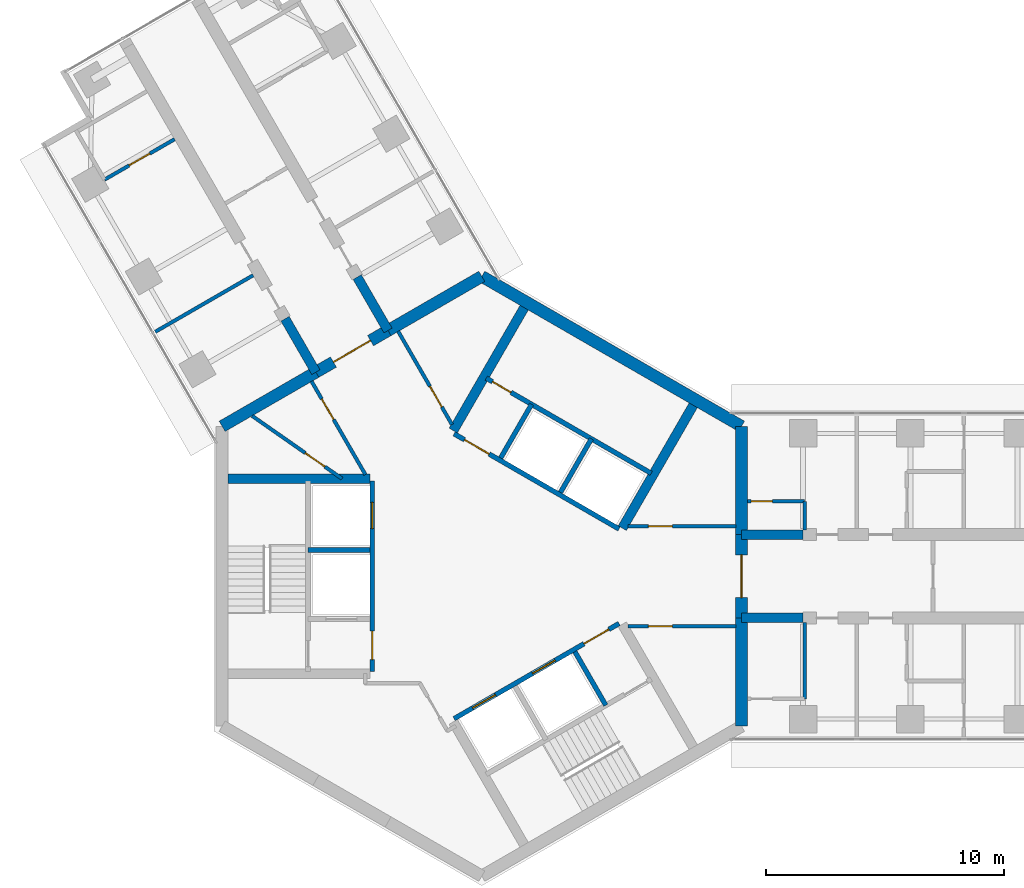
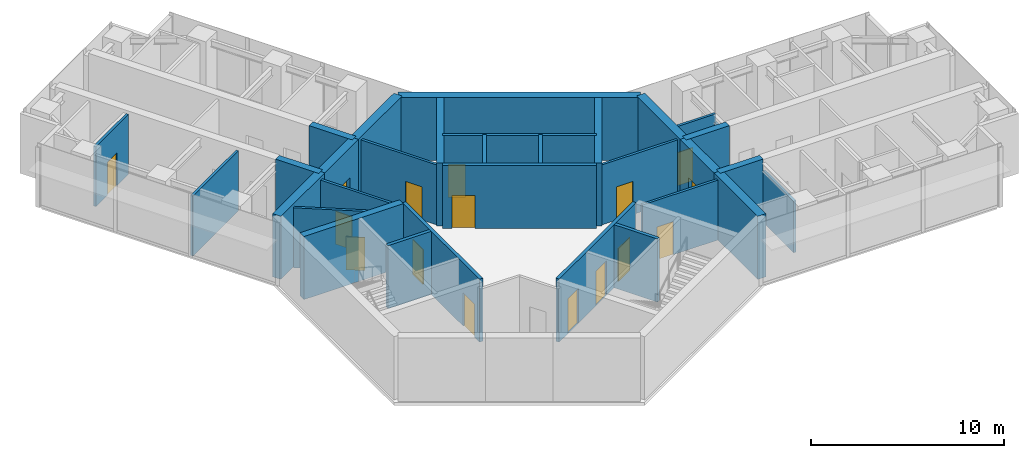
# One storey, part 12 of 17: 32 walls, 16 doors, 16 openings.
"""IFC4 building model written with IfcOpenShell, lengths in metres."""

from ifc_helpers import new_model, si_unit, direction, frame, frame_2d, origin, place, context, subcontext, project, spatial, rectangle, extrude, material, layer, layer_set, type_object, element, fill, save


model = new_model("IFC4")

# Units and contexts
model_context = context("Model", 3, precision=1e-05, world=origin(), true_north=direction((0.0, 1.0)))
body_context = subcontext(model_context, "Body", "Model", "MODEL_VIEW")
ifc_project = project(units=[si_unit("LENGTHUNIT", "METRE"), si_unit("AREAUNIT", "SQUARE_METRE"), si_unit("VOLUMEUNIT", "CUBIC_METRE"), si_unit("PLANEANGLEUNIT", "RADIAN"), si_unit("MASSUNIT", "GRAM", prefix="KILO")], contexts=[model_context])

# Site, building, storey
site_placement = place(None, origin())
site = spatial("IfcSite", under=ifc_project, at=site_placement, CompositionType="ELEMENT")
building_placement = place(site_placement, origin())
building = spatial("IfcBuilding", under=site, at=building_placement, Name="Upepo Twin Towers", CompositionType="ELEMENT")
storey_placement = place(building_placement, frame((0.0, 0.0, 210.5)))
storey = spatial("IfcBuildingStorey", under=building, at=storey_placement, Name="L51", CompositionType="ELEMENT", Elevation=210.5)

# Walls
ifc_material_1 = material(Name="Concrete C60/75", Category="concrete")
ifc_layer_1 = layer(ifc_material_1, 0.39990234375)
ifc_layer_set_1 = layer_set([ifc_layer_1], Name="Concrete C60/75")
wall_type_1 = type_object("IfcWallType", Name="Buttress wall 400 RC", PredefinedType="SHEAR", material=ifc_layer_set_1)
for number, where, z_axis, x_axis, name in (
    (1, (10.908447265625, 1.75, 0.0), (0.0, 0.0, 1.0), (1.0, 0.0, 0.0), "T1 wing A buttress wall L"),
    (2, (10.908447265625, -1.75, 0.0), (0.0, 0.0, 1.0), (1.0, 0.0, 0.0), "T1 wing A buttress wall R"),
):
    element("IfcWall", number, at=place(storey_placement, frame(where, z_axis=z_axis, x_axis=x_axis)), inside=storey, type_object=wall_type_1, Name=name, PredefinedType="SHEAR", context=body_context, shape_type="SweptSolid", body=[
        extrude(rectangle(XDim=2.591552734375, YDim=0.39990234375, at=frame_2d((1.2958984375, 0.0))), origin(), (0.0, 0.0, 1.0), 4.0),
    ])
for number, where, z_axis, x_axis, name in (
    (3, (-6.9697265625, 8.57177734375, 0.0), (0.0, 0.0, 1.0), (-0.499988811324, 0.866031863473, 0.0), "T1 wing B buttress wall L"),
    (4, (-3.938720703125, 10.32177734375, 0.0), (0.0, 0.0, 1.0), (-0.499918158782, 0.866072649678, 0.0), "T1 wing B buttress wall R"),
):
    element("IfcWall", number, at=place(storey_placement, frame(where, z_axis=z_axis, x_axis=x_axis)), inside=storey, type_object=wall_type_1, Name=name, PredefinedType="SHEAR", context=body_context, shape_type="SweptSolid", body=[
        extrude(rectangle(XDim=2.591796875, YDim=0.39990234375, at=frame_2d((1.2958984375, 0.0))), origin(), (0.0, 0.0, 1.0), 4.0),
    ])
ifc_material_2 = material(Name="Concrete C60/75", Category="concrete")
ifc_layer_2 = layer(ifc_material_2, 0.5)
ifc_layer_set_2 = layer_set([ifc_layer_2], Name="Concrete C60/75")
wall_type_2 = type_object("IfcWallType", Name="Core wall 500 RC", PredefinedType="SHEAR", material=ifc_layer_set_2)
wall_1_placement = place(storey_placement, frame((10.908447265625, -6.2978515625, 0.0), z_axis=(0.0, 0.0, 1.0), x_axis=(0.0, 1.0, 0.0)))
element("IfcWall", 5, at=wall_1_placement, inside=storey, type_object=wall_type_2, Name="T1 core wall 000 R", PredefinedType="SHEAR", context=body_context, shape_type="SweptSolid", body=[
    extrude(rectangle(XDim=4.5478515625, YDim=0.5, at=frame_2d((2.27392578125, 0.0))), origin(), (0.0, 0.0, 1.0), 4.0),
])

# Wall, opening, door
wall_2_placement = place(storey_placement, frame((10.908447265625, -1.75, 0.0), z_axis=(0.0, 0.0, 1.0), x_axis=(0.0, 1.0, 0.0)))
wall_2 = element("IfcWall", 6, at=wall_2_placement, inside=storey, type_object=wall_type_2, Name="T1 core wall 000", PredefinedType="SHEAR", context=body_context, shape_type="SweptSolid", body=[
    extrude(rectangle(XDim=3.5, YDim=0.5, at=frame_2d((1.75, 0.0))), origin(), (0.0, 0.0, 1.0), 4.0),
])
opening_1_placement = place(wall_2_placement, frame((0.85009765625, 0.0, 0.0)))
opening_1 = element("IfcOpeningElement", 7, at=opening_1_placement, cuts=wall_2, Name="Opening D2", PredefinedType="OPENING", context=body_context, shape_type="SweptSolid", body=[
    extrude(rectangle(XDim=1.800048828125, YDim=2.10009765625, at=frame_2d((0.89990234375, 1.050048828125))), frame((0.0, 0.260009765625, 0.0), z_axis=(0.0, -1.0, 0.0), x_axis=(1.0, 0.0, 0.0)), (0.0, 0.0, 1.0), 0.52001953125),
])
ifc_material_3 = material(Name="Timber doorset", Category="wood")
door_type_1 = type_object("IfcDoorType", Name="Corridor double door 1800 FD60", OperationType="DOUBLE_DOOR_DOUBLE_SWING", PredefinedType="DOOR", material=ifc_material_3)
door_1_placement = place(opening_1_placement, origin())
door_1 = element("IfcDoor", 8, at=door_1_placement, inside=storey, type_object=door_type_1, Name="T1 L51 wing A corridor door", OperationType="DOUBLE_DOOR_DOUBLE_SWING", OverallHeight=2.10009765625, OverallWidth=1.800048828125, PredefinedType="DOOR", context=body_context, shape_type="SweptSolid", body=[
    extrude(rectangle(XDim=1.800048828125, YDim=2.10009765625, at=frame_2d((0.89990234375, 1.050048828125))), frame((0.0, 0.02490234375, 0.0), z_axis=(0.0, -1.0, 0.0), x_axis=(1.0, 0.0, 0.0)), (0.0, 0.0, 1.0), 0.050048828125),
])
fill(opening_1, door_1)

# Walls
wall_3_placement = place(storey_placement, frame((10.908447265625, 1.75, 0.0), z_axis=(0.0, 0.0, 1.0), x_axis=(0.0, 1.0, 0.0)))
element("IfcWall", 9, at=wall_3_placement, inside=storey, type_object=wall_type_2, Name="T1 core wall 000 L", PredefinedType="SHEAR", context=body_context, shape_type="SweptSolid", body=[
    extrude(rectangle(XDim=4.5478515625, YDim=0.5, at=frame_2d((2.27392578125, 0.0))), origin(), (0.0, 0.0, 1.0), 4.0),
])
wall_4_placement = place(storey_placement, frame((10.908447265625, 6.2978515625, 0.0), z_axis=(0.0, 0.0, 1.0), x_axis=(-0.866021940709, 0.500005998175, 0.0)))
element("IfcWall", 10, at=wall_4_placement, inside=storey, type_object=wall_type_2, Name="T1 core wall 060", PredefinedType="SHEAR", context=body_context, shape_type="SweptSolid", body=[
    extrude(rectangle(XDim=12.595947265625, YDim=0.5, at=frame_2d((6.2978515625, 0.0))), origin(), (0.0, 0.0, 1.0), 4.0),
])
wall_5_placement = place(storey_placement, frame((0.0, 12.595947265625, 0.0), z_axis=(0.0, 0.0, 1.0), x_axis=(-0.866011268655, -0.500024481964, 0.0)))
element("IfcWall", 11, at=wall_5_placement, inside=storey, type_object=wall_type_2, Name="T1 core wall 120 R", PredefinedType="SHEAR", context=body_context, shape_type="SweptSolid", body=[
    extrude(rectangle(XDim=4.548095703125, YDim=0.5, at=frame_2d((2.27392578125, 0.0))), origin(), (0.0, 0.0, 1.0), 4.0),
])

# Wall, opening, door
wall_6_placement = place(storey_placement, frame((-3.938720703125, 10.32177734375, 0.0), z_axis=(0.0, 0.0, 1.0), x_axis=(-0.866019471182, -0.500010275428, 0.0)))
wall_6 = element("IfcWall", 12, at=wall_6_placement, inside=storey, type_object=wall_type_2, Name="T1 core wall 120", PredefinedType="SHEAR", context=body_context, shape_type="SweptSolid", body=[
    extrude(rectangle(XDim=3.5, YDim=0.5, at=frame_2d((1.75, 0.0))), origin(), (0.0, 0.0, 1.0), 4.0),
])
opening_2_placement = place(wall_6_placement, frame((0.85009765625, 0.0, 0.0)))
opening_2 = element("IfcOpeningElement", 13, at=opening_2_placement, cuts=wall_6, Name="Opening D2", PredefinedType="OPENING", context=body_context, shape_type="SweptSolid", body=[
    extrude(rectangle(XDim=1.800048828125, YDim=2.10009765625, at=frame_2d((0.89990234375, 1.050048828125))), frame((0.0, 0.260009765625, 0.0), z_axis=(0.0, -1.0, 0.0), x_axis=(1.0, 0.0, 0.0)), (0.0, 0.0, 1.0), 0.52001953125),
])
door_2_placement = place(opening_2_placement, origin())
door_2 = element("IfcDoor", 14, at=door_2_placement, inside=storey, type_object=door_type_1, Name="T1 L51 wing B corridor door", OperationType="DOUBLE_DOOR_DOUBLE_SWING", OverallHeight=2.10009765625, OverallWidth=1.800048828125, PredefinedType="DOOR", context=body_context, shape_type="SweptSolid", body=[
    extrude(rectangle(XDim=1.800048828125, YDim=2.10009765625, at=frame_2d((0.89990234375, 1.050048828125))), frame((0.0, 0.02490234375, 0.0), z_axis=(0.0, -1.0, 0.0), x_axis=(1.0, 0.0, 0.0)), (0.0, 0.0, 1.0), 0.050048828125),
])
fill(opening_2, door_2)

# Wall
wall_7_placement = place(storey_placement, frame((-6.9697265625, 8.57177734375, 0.0), z_axis=(0.0, 0.0, 1.0), x_axis=(-0.866034513004, -0.499984222037, 0.0)))
element("IfcWall", 15, at=wall_7_placement, inside=storey, type_object=wall_type_2, Name="T1 core wall 120 L", PredefinedType="SHEAR", context=body_context, shape_type="SweptSolid", body=[
    extrude(rectangle(XDim=4.548095703125, YDim=0.5, at=frame_2d((2.27392578125, 0.0))), origin(), (0.0, 0.0, 1.0), 4.0),
])

# Wall, opening, door
ifc_material_4 = material(Name="Concrete C40/50", Category="concrete")
ifc_layer_3 = layer(ifc_material_4, 0.199951171875)
ifc_layer_set_3 = layer_set([ifc_layer_3], Name="Concrete C40/50")
wall_type_3 = type_object("IfcWallType", Name="Shaft wall 200 RC", PredefinedType="SHEAR", material=ifc_layer_set_3)
wall_8_placement = place(storey_placement, frame((5.76416015625, 1.983642578125, 0.0), z_axis=(0.0, 0.0, 1.0), x_axis=(-0.866026010844, 0.49999894854, 0.0)))
wall_8 = element("IfcWall", 16, at=wall_8_placement, inside=storey, type_object=wall_type_3, Name="T1 core W60 front wall", PredefinedType="SHEAR", context=body_context, shape_type="SweptSolid", body=[
    extrude(rectangle(XDim=8.0, YDim=0.199951171875, at=frame_2d((4.0, 0.0))), origin(), (0.0, 0.0, 1.0), 4.0),
])
opening_3_placement = place(wall_8_placement, frame((6.300048828125, 0.0, 0.0)))
opening_3 = element("IfcOpeningElement", 17, at=opening_3_placement, cuts=wall_8, Name="Opening D4", PredefinedType="OPENING", context=body_context, shape_type="SweptSolid", body=[
    extrude(rectangle(XDim=1.199951171875, YDim=2.10009765625, at=frame_2d((0.60009765625, 1.050048828125))), frame((0.0, 0.10986328125, 0.0), z_axis=(0.0, -1.0, 0.0), x_axis=(1.0, 0.0, 0.0)), (0.0, 0.0, 1.0), 0.219970703125),
])
ifc_material_5 = material(Name="Timber doorset", Category="wood")
door_type_2 = type_object("IfcDoorType", Name="Lobby door 1200 FD60", OperationType="SINGLE_SWING_LEFT", PredefinedType="DOOR", material=ifc_material_5)
door_3_placement = place(opening_3_placement, origin())
door_3 = element("IfcDoor", 18, at=door_3_placement, inside=storey, type_object=door_type_2, Name="T1 L51 W60 lobby door", OperationType="SINGLE_SWING_RIGHT", OverallHeight=2.10009765625, OverallWidth=1.199951171875, PredefinedType="DOOR", context=body_context, shape_type="SweptSolid", body=[
    extrude(rectangle(XDim=1.199951171875, YDim=2.10009765625, at=frame_2d((0.60009765625, 1.050048828125))), frame((0.0, 0.02490234375, 0.0), z_axis=(0.0, -1.0, 0.0), x_axis=(1.0, 0.0, 0.0)), (0.0, 0.0, 1.0), 0.050048828125),
])
fill(opening_3, door_3)

# Walls
for number, where, z_axis, x_axis, name in (
    (19, (3.302734375, 3.520263671875, 0.0), (0.0, 0.0, 1.0), (0.499936506574, 0.866062058628, 0.0), "T1 core W60 shaft divider"),
    (20, (0.791259765625, 4.97021484375, 0.0), (0.0, 0.0, 1.0), (0.499936506574, 0.866062058628, 0.0), "T1 core W60 lobby wall"),
):
    element("IfcWall", number, at=place(storey_placement, frame(where, z_axis=z_axis, x_axis=x_axis)), inside=storey, type_object=wall_type_3, Name=name, PredefinedType="SHEAR", context=body_context, shape_type="SweptSolid", body=[
        extrude(rectangle(XDim=2.599853515625, YDim=0.199951171875, at=frame_2d((1.2998046875, 0.0))), origin(), (0.0, 0.0, 1.0), 4.0),
    ])

# Wall, opening, door
wall_9_placement = place(storey_placement, frame((7.114013671875, 4.322021484375, 0.0), z_axis=(0.0, 0.0, 1.0), x_axis=(-0.866026010844, 0.49999894854, 0.0)))
wall_9 = element("IfcWall", 21, at=wall_9_placement, inside=storey, type_object=wall_type_3, Name="T1 core W60 stair wall", PredefinedType="SHEAR", context=body_context, shape_type="SweptSolid", body=[
    extrude(rectangle(XDim=8.0, YDim=0.199951171875, at=frame_2d((4.0, 0.0))), origin(), (0.0, 0.0, 1.0), 4.0),
])
opening_4_placement = place(wall_9_placement, frame((6.800048828125, 0.0, 0.0)))
opening_4 = element("IfcOpeningElement", 22, at=opening_4_placement, cuts=wall_9, Name="Opening D9", PredefinedType="OPENING", context=body_context, shape_type="SweptSolid", body=[
    extrude(rectangle(XDim=0.89990234375, YDim=2.10009765625, at=frame_2d((0.449951171875, 1.050048828125))), frame((0.0, 0.10986328125, 0.0), z_axis=(0.0, -1.0, 0.0), x_axis=(1.0, 0.0, 0.0)), (0.0, 0.0, 1.0), 0.219970703125),
])
ifc_material_6 = material(Name="Timber doorset", Category="wood")
door_type_3 = type_object("IfcDoorType", Name="Riser door 900 FD60", OperationType="SINGLE_SWING_LEFT", PredefinedType="DOOR", material=ifc_material_6)
door_4_placement = place(opening_4_placement, origin())
door_4 = element("IfcDoor", 23, at=door_4_placement, inside=storey, type_object=door_type_3, Name="T1 L51 riser door", OperationType="SINGLE_SWING_RIGHT", OverallHeight=2.10009765625, OverallWidth=0.89990234375, PredefinedType="DOOR", context=body_context, shape_type="SweptSolid", body=[
    extrude(rectangle(XDim=0.89990234375, YDim=2.10009765625, at=frame_2d((0.449951171875, 1.050048828125))), frame((0.0, 0.02490234375, 0.0), z_axis=(0.0, -1.0, 0.0), x_axis=(1.0, 0.0, 0.0)), (0.0, 0.0, 1.0), 0.050048828125),
])
fill(opening_4, door_4)

# Wall, openings, doors
wall_10_placement = place(storey_placement, frame((-4.60009765625, 4.0, 0.0), z_axis=(0.0, 0.0, 1.0), x_axis=(0.0, -1.0, 0.0)))
wall_10 = element("IfcWall", 24, at=wall_10_placement, inside=storey, type_object=wall_type_3, Name="T1 core W180 front wall", PredefinedType="SHEAR", context=body_context, shape_type="SweptSolid", body=[
    extrude(rectangle(XDim=8.0, YDim=0.199951171875, at=frame_2d((4.0, 0.0))), origin(), (0.0, 0.0, 1.0), 4.0),
])
opening_5_placement = place(wall_10_placement, frame((6.300048828125, 0.0, 0.0)))
opening_5 = element("IfcOpeningElement", 25, at=opening_5_placement, cuts=wall_10, Name="Opening D4", PredefinedType="OPENING", context=body_context, shape_type="SweptSolid", body=[
    extrude(rectangle(XDim=1.199951171875, YDim=2.10009765625, at=frame_2d((0.60009765625, 1.050048828125))), frame((0.0, 0.10986328125, 0.0), z_axis=(0.0, -1.0, 0.0), x_axis=(1.0, 0.0, 0.0)), (0.0, 0.0, 1.0), 0.219970703125),
])
opening_6_placement = place(wall_10_placement, frame((0.89990234375, 0.0, 0.0)))
opening_6 = element("IfcOpeningElement", 26, at=opening_6_placement, cuts=wall_10, Name="Opening LD1", PredefinedType="OPENING", context=body_context, shape_type="SweptSolid", body=[
    extrude(rectangle(XDim=1.10009765625, YDim=2.199951171875, at=frame_2d((0.550048828125, 1.10009765625))), frame((0.0, 0.10986328125, 0.0), z_axis=(0.0, -1.0, 0.0), x_axis=(1.0, 0.0, 0.0)), (0.0, 0.0, 1.0), 0.219970703125),
])
ifc_material_7 = material(Name="Steel doorset", Category="steel")
door_type_4 = type_object("IfcDoorType", Name="Lift landing door 1100", OperationType="DOUBLE_DOOR_SLIDING", PredefinedType="DOOR", material=ifc_material_7)
door_5_placement = place(opening_6_placement, origin())
door_5 = element("IfcDoor", 27, at=door_5_placement, inside=storey, type_object=door_type_4, Name="T1 L51 lift SV1 landing door", OperationType="DOUBLE_DOOR_SLIDING", OverallHeight=2.199951171875, OverallWidth=1.10009765625, PredefinedType="DOOR", context=body_context, shape_type="SweptSolid", body=[
    extrude(rectangle(XDim=1.10009765625, YDim=2.199951171875, at=frame_2d((0.550048828125, 1.10009765625))), frame((0.0, 0.02490234375, 0.0), z_axis=(0.0, -1.0, 0.0), x_axis=(1.0, 0.0, 0.0)), (0.0, 0.0, 1.0), 0.050048828125),
])
fill(opening_6, door_5)
door_6_placement = place(opening_5_placement, origin())
door_6 = element("IfcDoor", 28, at=door_6_placement, inside=storey, type_object=door_type_2, Name="T1 L51 W180 lobby door", OperationType="SINGLE_SWING_RIGHT", OverallHeight=2.10009765625, OverallWidth=1.199951171875, PredefinedType="DOOR", context=body_context, shape_type="SweptSolid", body=[
    extrude(rectangle(XDim=1.199951171875, YDim=2.10009765625, at=frame_2d((0.60009765625, 1.050048828125))), frame((0.0, 0.02490234375, 0.0), z_axis=(0.0, -1.0, 0.0), x_axis=(1.0, 0.0, 0.0)), (0.0, 0.0, 1.0), 0.050048828125),
])
fill(opening_5, door_6)

# Wall
wall_11_placement = place(storey_placement, frame((-4.699951171875, 1.10009765625, 0.0), z_axis=(0.0, 0.0, 1.0), x_axis=(-1.0, 0.0, 0.0)))
element("IfcWall", 29, at=wall_11_placement, inside=storey, type_object=wall_type_3, Name="T1 core W180 shaft divider", PredefinedType="SHEAR", context=body_context, shape_type="SweptSolid", body=[
    extrude(rectangle(XDim=2.60009765625, YDim=0.199951171875, at=frame_2d((1.300048828125, 0.0))), origin(), (0.0, 0.0, 1.0), 4.0),
])

# Wall, openings, doors
wall_12_placement = place(storey_placement, frame((-1.1640625, -5.983642578125, 0.0), z_axis=(0.0, 0.0, 1.0), x_axis=(0.866026010844, 0.49999894854, 0.0)))
wall_12 = element("IfcWall", 30, at=wall_12_placement, inside=storey, type_object=wall_type_3, Name="T1 core W300 front wall", PredefinedType="SHEAR", context=body_context, shape_type="SweptSolid", body=[
    extrude(rectangle(XDim=8.0, YDim=0.199951171875, at=frame_2d((4.0, 0.0))), origin(), (0.0, 0.0, 1.0), 4.0),
])
opening_7_placement = place(wall_12_placement, frame((6.300048828125, 0.0, 0.0)))
opening_7 = element("IfcOpeningElement", 31, at=opening_7_placement, cuts=wall_12, Name="Opening D4", PredefinedType="OPENING", context=body_context, shape_type="SweptSolid", body=[
    extrude(rectangle(XDim=1.199951171875, YDim=2.10009765625, at=frame_2d((0.60009765625, 1.050048828125))), frame((0.0, 0.10986328125, 0.0), z_axis=(0.0, -1.0, 0.0), x_axis=(1.0, 0.0, 0.0)), (0.0, 0.0, 1.0), 0.219970703125),
])
opening_8_placement = place(wall_12_placement, frame((0.89990234375, 0.0, 0.0)))
opening_8 = element("IfcOpeningElement", 32, at=opening_8_placement, cuts=wall_12, Name="Opening LD1", PredefinedType="OPENING", context=body_context, shape_type="SweptSolid", body=[
    extrude(rectangle(XDim=1.10009765625, YDim=2.199951171875, at=frame_2d((0.550048828125, 1.10009765625))), frame((0.0, 0.10986328125, 0.0), z_axis=(0.0, -1.0, 0.0), x_axis=(1.0, 0.0, 0.0)), (0.0, 0.0, 1.0), 0.219970703125),
])
opening_9_placement = place(wall_12_placement, frame((3.800048828125, 0.0, 0.0)))
opening_9 = element("IfcOpeningElement", 33, at=opening_9_placement, cuts=wall_12, Name="Opening LD1", PredefinedType="OPENING", context=body_context, shape_type="SweptSolid", body=[
    extrude(rectangle(XDim=1.10009765625, YDim=2.199951171875, at=frame_2d((0.550048828125, 1.10009765625))), frame((0.0, 0.10986328125, 0.0), z_axis=(0.0, -1.0, 0.0), x_axis=(1.0, 0.0, 0.0)), (0.0, 0.0, 1.0), 0.219970703125),
])
door_7_placement = place(opening_8_placement, origin())
door_7 = element("IfcDoor", 34, at=door_7_placement, inside=storey, type_object=door_type_4, Name="T1 L51 lift UL1 landing door", OperationType="DOUBLE_DOOR_SLIDING", OverallHeight=2.199951171875, OverallWidth=1.10009765625, PredefinedType="DOOR", context=body_context, shape_type="SweptSolid", body=[
    extrude(rectangle(XDim=1.10009765625, YDim=2.199951171875, at=frame_2d((0.550048828125, 1.10009765625))), frame((0.0, 0.02490234375, 0.0), z_axis=(0.0, -1.0, 0.0), x_axis=(1.0, 0.0, 0.0)), (0.0, 0.0, 1.0), 0.050048828125),
])
fill(opening_8, door_7)
door_8_placement = place(opening_9_placement, origin())
door_8 = element("IfcDoor", 35, at=door_8_placement, inside=storey, type_object=door_type_4, Name="T1 L51 lift UL2 landing door", OperationType="DOUBLE_DOOR_SLIDING", OverallHeight=2.199951171875, OverallWidth=1.10009765625, PredefinedType="DOOR", context=body_context, shape_type="SweptSolid", body=[
    extrude(rectangle(XDim=1.10009765625, YDim=2.199951171875, at=frame_2d((0.550048828125, 1.10009765625))), frame((0.0, 0.02490234375, 0.0), z_axis=(0.0, -1.0, 0.0), x_axis=(1.0, 0.0, 0.0)), (0.0, 0.0, 1.0), 0.050048828125),
])
fill(opening_9, door_8)
door_9_placement = place(opening_7_placement, origin())
door_9 = element("IfcDoor", 36, at=door_9_placement, inside=storey, type_object=door_type_2, Name="T1 L51 W300 lobby door", OperationType="SINGLE_SWING_RIGHT", OverallHeight=2.10009765625, OverallWidth=1.199951171875, PredefinedType="DOOR", context=body_context, shape_type="SweptSolid", body=[
    extrude(rectangle(XDim=1.199951171875, YDim=2.10009765625, at=frame_2d((0.60009765625, 1.050048828125))), frame((0.0, 0.02490234375, 0.0), z_axis=(0.0, -1.0, 0.0), x_axis=(1.0, 0.0, 0.0)), (0.0, 0.0, 1.0), 0.050048828125),
])
fill(opening_7, door_9)

# Walls
wall_13_placement = place(storey_placement, frame((3.908935546875, -3.17041015625, 0.0), z_axis=(0.0, 0.0, 1.0), x_axis=(0.49997716683, -0.86603858612, 0.0)))
element("IfcWall", 37, at=wall_13_placement, inside=storey, type_object=wall_type_3, Name="T1 core W300 lobby wall", PredefinedType="SHEAR", context=body_context, shape_type="SweptSolid", body=[
    extrude(rectangle(XDim=2.599609375, YDim=0.199951171875, at=frame_2d((1.2998046875, 0.0))), origin(), (0.0, 0.0, 1.0), 4.0),
])
ifc_material_8 = material(Name="Concrete C40/50", Category="concrete")
ifc_layer_4 = layer(ifc_material_8, 0.39990234375)
ifc_layer_set_4 = layer_set([ifc_layer_4], Name="Concrete C40/50")
wall_type_4 = type_object("IfcWallType", Name="Shaft wall 400 RC", PredefinedType="SHEAR", material=ifc_layer_set_4)
wall_14_placement = place(storey_placement, frame((-1.20068359375, 6.120361328125, 0.0), z_axis=(0.0, 0.0, 1.0), x_axis=(0.500021575205, 0.866012946976, 0.0)))
element("IfcWall", 38, at=wall_14_placement, inside=storey, type_object=wall_type_4, Name="T1 core W60 side wall N", PredefinedType="SHEAR", context=body_context, shape_type="SweptSolid", body=[
    extrude(rectangle(XDim=5.958251953125, YDim=0.39990234375, at=frame_2d((2.97900390625, 0.0))), origin(), (0.0, 0.0, 1.0), 4.0),
])
for number, where, z_axis, x_axis, name in (
    (39, (5.900634765625, 2.020263671875, 0.0), (0.0, 0.0, 1.0), (0.500003832394, 0.86602319114, 0.0), "T1 core W60 side wall S"),
    (40, (-4.699951171875, 4.10009765625, 0.0), (0.0, 0.0, 1.0), (-1.0, 0.0, 0.0), "T1 core W180 side wall S"),
):
    element("IfcWall", number, at=place(storey_placement, frame(where, z_axis=z_axis, x_axis=x_axis)), inside=storey, type_object=wall_type_4, Name=name, PredefinedType="SHEAR", context=body_context, shape_type="SweptSolid", body=[
        extrude(rectangle(XDim=5.95849609375, YDim=0.39990234375, at=frame_2d((2.979248046875, 0.0))), origin(), (0.0, 0.0, 1.0), 4.0),
    ])

# Wall, opening, door
ifc_material_9 = material(Name="Gypsum board on steel studs", Category="steel")
ifc_layer_5 = layer(ifc_material_9, 0.14990234375)
ifc_layer_set_5 = layer_set([ifc_layer_5], Name="Teaching partition 150 acoustic")
wall_type_5 = type_object("IfcWallType", Name="Teaching partition 150 acoustic", PredefinedType="PARTITIONING", material=ifc_layer_set_5)
wall_15_placement = place(storey_placement, frame((11.157958984375, 3.14990234375, 0.0), z_axis=(0.0, 0.0, 1.0), x_axis=(1.0, 0.0, 0.0)))
wall_15 = element("IfcWall", 41, at=wall_15_placement, inside=storey, type_object=wall_type_5, Name="T1 WC bay partition AL at 11.16", PredefinedType="PARTITIONING", context=body_context, shape_type="SweptSolid", body=[
    extrude(rectangle(XDim=2.400146484375, YDim=0.14990234375, at=frame_2d((1.2001953125, 0.0))), origin(), (0.0, 0.0, 1.0), 3.800048828125),
])
opening_10_placement = place(wall_15_placement, frame((0.14990234375, 0.0, 0.0)))
opening_10 = element("IfcOpeningElement", 42, at=opening_10_placement, cuts=wall_15, Name="Opening D14", PredefinedType="OPENING", context=body_context, shape_type="SweptSolid", body=[
    extrude(rectangle(XDim=0.89990234375, YDim=2.10009765625, at=frame_2d((0.449951171875, 1.050048828125))), frame((0.0, 0.0849609375, 0.0), z_axis=(0.0, -1.0, 0.0), x_axis=(1.0, 0.0, 0.0)), (0.0, 0.0, 1.0), 0.169921875),
])
ifc_material_10 = material(Name="Timber doorset", Category="wood")
door_type_5 = type_object("IfcDoorType", Name="Office door 900 FD30", OperationType="SINGLE_SWING_LEFT", PredefinedType="DOOR", material=ifc_material_10)
door_10_placement = place(opening_10_placement, origin())
door_10 = element("IfcDoor", 43, at=door_10_placement, inside=storey, type_object=door_type_5, Name="T1 L51 WC bay inner room door", OperationType="SINGLE_SWING_LEFT", OverallHeight=2.10009765625, OverallWidth=0.89990234375, PredefinedType="DOOR", context=body_context, shape_type="SweptSolid", body=[
    extrude(rectangle(XDim=0.89990234375, YDim=2.10009765625, at=frame_2d((0.449951171875, 1.050048828125))), frame((0.0, 0.02490234375, 0.0), z_axis=(0.0, -1.0, 0.0), x_axis=(1.0, 0.0, 0.0)), (0.0, 0.0, 1.0), 0.050048828125),
])
fill(opening_10, door_10)

# Walls
wall_16_placement = place(storey_placement, frame((13.55810546875, 1.949951171875, 0.0), z_axis=(0.0, 0.0, 1.0), x_axis=(0.0, 1.0, 0.0)))
element("IfcWall", 44, at=wall_16_placement, inside=storey, type_object=wall_type_5, Name="T1 WC bay partition AL end at 13.56", PredefinedType="PARTITIONING", context=body_context, shape_type="SweptSolid", body=[
    extrude(rectangle(XDim=1.199951171875, YDim=0.14990234375, at=frame_2d((0.60009765625, 0.0))), origin(), (0.0, 0.0, 1.0), 3.266845703125),
])
wall_17_placement = place(storey_placement, frame((13.55810546875, -1.949951171875, 0.0), z_axis=(0.0, 0.0, 1.0), x_axis=(0.0, -1.0, 0.0)))
element("IfcWall", 45, at=wall_17_placement, inside=storey, type_object=wall_type_5, Name="T1 WC bay partition AR end at 13.56", PredefinedType="PARTITIONING", context=body_context, shape_type="SweptSolid", body=[
    extrude(rectangle(XDim=3.199951171875, YDim=0.14990234375, at=frame_2d((1.60009765625, 0.0))), origin(), (0.0, 0.0, 1.0), 3.266845703125),
])
wall_18_placement = place(storey_placement, frame((-9.60693359375, 12.639892578125, 0.0), z_axis=(0.0, 0.0, 1.0), x_axis=(-0.866033238375, -0.499986429846, 0.0)))
element("IfcWall", 46, at=wall_18_placement, inside=storey, type_object=wall_type_5, Name="T1 partition BL at 15.75", PredefinedType="PARTITIONING", context=body_context, shape_type="SweptSolid", body=[
    extrude(rectangle(XDim=4.750244140625, YDim=0.14990234375, at=frame_2d((2.375, 0.0))), origin(), (0.0, 0.0, 1.0), 3.800048828125),
])

# Wall, opening, door
wall_19_placement = place(storey_placement, frame((-12.906982421875, 18.355712890625, 0.0), z_axis=(0.0, 0.0, 1.0), x_axis=(-0.866038511948, -0.499977295307, 0.0)))
wall_19 = element("IfcWall", 47, at=wall_19_placement, inside=storey, type_object=wall_type_5, Name="T1 inner room partition BL end at 22.35", PredefinedType="PARTITIONING", context=body_context, shape_type="SweptSolid", body=[
    extrude(rectangle(XDim=3.400146484375, YDim=0.14990234375, at=frame_2d((1.7001953125, 0.0))), origin(), (0.0, 0.0, 1.0), 3.800048828125),
])
opening_11_placement = place(wall_19_placement, frame((1.199951171875, 0.0, 0.0)))
opening_11 = element("IfcOpeningElement", 48, at=opening_11_placement, cuts=wall_19, Name="Opening D1", PredefinedType="OPENING", context=body_context, shape_type="SweptSolid", body=[
    extrude(rectangle(XDim=1.0, YDim=2.10009765625, at=frame_2d((0.5, 1.050048828125))), frame((0.0, 0.0849609375, 0.0), z_axis=(0.0, -1.0, 0.0), x_axis=(1.0, 0.0, 0.0)), (0.0, 0.0, 1.0), 0.169921875),
])
ifc_material_11 = material(Name="Timber doorset", Category="wood")
door_type_6 = type_object("IfcDoorType", Name="Room door 1000 FD30", OperationType="SINGLE_SWING_LEFT", PredefinedType="DOOR", material=ifc_material_11)
door_11_placement = place(opening_11_placement, origin())
door_11 = element("IfcDoor", 49, at=door_11_placement, inside=storey, type_object=door_type_6, Name="T1 L51 inner room door", OperationType="SINGLE_SWING_LEFT", OverallHeight=2.10009765625, OverallWidth=1.0, PredefinedType="DOOR", context=body_context, shape_type="SweptSolid", body=[
    extrude(rectangle(XDim=1.0, YDim=2.10009765625, at=frame_2d((0.5, 1.050048828125))), frame((0.0, 0.02490234375, 0.0), z_axis=(0.0, -1.0, 0.0), x_axis=(1.0, 0.0, 0.0)), (0.0, 0.0, 1.0), 0.050048828125),
])
fill(opening_11, door_11)

wall_20_placement = place(storey_placement, frame((-4.889892578125, 4.269775390625, 0.0), z_axis=(0.0, 0.0, 1.0), x_axis=(-0.500032211057, 0.866006805923, 0.0)))
wall_20 = element("IfcWall", 50, at=wall_20_placement, inside=storey, type_object=wall_type_5, Name="T1 core room partition 4", PredefinedType="PARTITIONING", context=body_context, shape_type="SweptSolid", body=[
    extrude(rectangle(XDim=4.525634765625, YDim=0.14990234375, at=frame_2d((2.2626953125, 0.0))), origin(), (0.0, 0.0, 1.0), 3.800048828125),
])
opening_12_placement = place(wall_20_placement, frame((2.66796875, 0.0, 0.0)))
opening_12 = element("IfcOpeningElement", 51, at=opening_12_placement, cuts=wall_20, Name="Opening D1", PredefinedType="OPENING", context=body_context, shape_type="SweptSolid", body=[
    extrude(rectangle(XDim=1.0, YDim=2.10009765625, at=frame_2d((0.5, 1.050048828125))), frame((0.0, 0.0849609375, 0.0), z_axis=(0.0, -1.0, 0.0), x_axis=(1.0, 0.0, 0.0)), (0.0, 0.0, 1.0), 0.169921875),
])
door_12_placement = place(opening_12_placement, origin())
door_12 = element("IfcDoor", 52, at=door_12_placement, inside=storey, type_object=door_type_6, Name="T1 L51 core room door K6", OperationType="SINGLE_SWING_RIGHT", OverallHeight=2.10009765625, OverallWidth=1.0, PredefinedType="DOOR", context=body_context, shape_type="SweptSolid", body=[
    extrude(rectangle(XDim=1.0, YDim=2.10009765625, at=frame_2d((0.5, 1.050048828125))), frame((0.0, 0.02490234375, 0.0), z_axis=(0.0, -1.0, 0.0), x_axis=(1.0, 0.0, 0.0)), (0.0, 0.0, 1.0), 0.050048828125),
])
fill(opening_12, door_12)

wall_21_placement = place(storey_placement, frame((-3.515380859375, 10.2890625, 0.0), z_axis=(0.0, 0.0, 1.0), x_axis=(0.499968392031, -0.866043651885, 0.0)))
wall_21 = element("IfcWall", 53, at=wall_21_placement, inside=storey, type_object=wall_type_5, Name="T1 core room partition 5", PredefinedType="PARTITIONING", context=body_context, shape_type="SweptSolid", body=[
    extrude(rectangle(XDim=4.525634765625, YDim=0.14990234375, at=frame_2d((2.2626953125, 0.0))), origin(), (0.0, 0.0, 1.0), 3.800048828125),
])
opening_13_placement = place(wall_21_placement, frame((2.66796875, 0.0, 0.0)))
opening_13 = element("IfcOpeningElement", 54, at=opening_13_placement, cuts=wall_21, Name="Opening D1", PredefinedType="OPENING", context=body_context, shape_type="SweptSolid", body=[
    extrude(rectangle(XDim=1.0, YDim=2.10009765625, at=frame_2d((0.5, 1.050048828125))), frame((0.0, 0.0849609375, 0.0), z_axis=(0.0, -1.0, 0.0), x_axis=(1.0, 0.0, 0.0)), (0.0, 0.0, 1.0), 0.169921875),
])
door_13_placement = place(opening_13_placement, origin())
door_13 = element("IfcDoor", 55, at=door_13_placement, inside=storey, type_object=door_type_6, Name="T1 L51 core room door K4", OperationType="SINGLE_SWING_RIGHT", OverallHeight=2.10009765625, OverallWidth=1.0, PredefinedType="DOOR", context=body_context, shape_type="SweptSolid", body=[
    extrude(rectangle(XDim=1.0, YDim=2.10009765625, at=frame_2d((0.5, 1.050048828125))), frame((0.0, 0.02490234375, 0.0), z_axis=(0.0, -1.0, 0.0), x_axis=(1.0, 0.0, 0.0)), (0.0, 0.0, 1.0), 0.050048828125),
])
fill(opening_13, door_13)

wall_22_placement = place(storey_placement, frame((6.142578125, 2.10009765625, 0.0), z_axis=(0.0, 0.0, 1.0), x_axis=(1.0, 0.0, 0.0)))
wall_22 = element("IfcWall", 56, at=wall_22_placement, inside=storey, type_object=wall_type_5, Name="T1 core room partition 6", PredefinedType="PARTITIONING", context=body_context, shape_type="SweptSolid", body=[
    extrude(rectangle(XDim=4.525634765625, YDim=0.14990234375, at=frame_2d((2.2626953125, 0.0))), origin(), (0.0, 0.0, 1.0), 3.800048828125),
])
opening_14_placement = place(wall_22_placement, frame((0.857666015625, 0.0, 0.0)))
opening_14 = element("IfcOpeningElement", 57, at=opening_14_placement, cuts=wall_22, Name="Opening D1", PredefinedType="OPENING", context=body_context, shape_type="SweptSolid", body=[
    extrude(rectangle(XDim=1.0, YDim=2.10009765625, at=frame_2d((0.5, 1.050048828125))), frame((0.0, 0.0849609375, 0.0), z_axis=(0.0, -1.0, 0.0), x_axis=(1.0, 0.0, 0.0)), (0.0, 0.0, 1.0), 0.169921875),
])
door_14_placement = place(opening_14_placement, origin())
door_14 = element("IfcDoor", 58, at=door_14_placement, inside=storey, type_object=door_type_6, Name="T1 L51 core room door K3", OperationType="SINGLE_SWING_LEFT", OverallHeight=2.10009765625, OverallWidth=1.0, PredefinedType="DOOR", context=body_context, shape_type="SweptSolid", body=[
    extrude(rectangle(XDim=1.0, YDim=2.10009765625, at=frame_2d((0.5, 1.050048828125))), frame((0.0, 0.02490234375, 0.0), z_axis=(0.0, -1.0, 0.0), x_axis=(1.0, 0.0, 0.0)), (0.0, 0.0, 1.0), 0.050048828125),
])
fill(opening_14, door_14)

wall_23_placement = place(storey_placement, frame((10.668212890625, -2.10009765625, 0.0), z_axis=(0.0, 0.0, 1.0), x_axis=(-1.0, 0.0, 0.0)))
wall_23 = element("IfcWall", 59, at=wall_23_placement, inside=storey, type_object=wall_type_5, Name="T1 core room partition 7", PredefinedType="PARTITIONING", context=body_context, shape_type="SweptSolid", body=[
    extrude(rectangle(XDim=4.525634765625, YDim=0.14990234375, at=frame_2d((2.2626953125, 0.0))), origin(), (0.0, 0.0, 1.0), 3.800048828125),
])
opening_15_placement = place(wall_23_placement, frame((2.66796875, 0.0, 0.0)))
opening_15 = element("IfcOpeningElement", 60, at=opening_15_placement, cuts=wall_23, Name="Opening D1", PredefinedType="OPENING", context=body_context, shape_type="SweptSolid", body=[
    extrude(rectangle(XDim=1.0, YDim=2.10009765625, at=frame_2d((0.5, 1.050048828125))), frame((0.0, 0.0849609375, 0.0), z_axis=(0.0, -1.0, 0.0), x_axis=(1.0, 0.0, 0.0)), (0.0, 0.0, 1.0), 0.169921875),
])
door_15_placement = place(opening_15_placement, origin())
door_15 = element("IfcDoor", 61, at=door_15_placement, inside=storey, type_object=door_type_6, Name="T1 L51 core room door K2", OperationType="SINGLE_SWING_RIGHT", OverallHeight=2.10009765625, OverallWidth=1.0, PredefinedType="DOOR", context=body_context, shape_type="SweptSolid", body=[
    extrude(rectangle(XDim=1.0, YDim=2.10009765625, at=frame_2d((0.5, 1.050048828125))), frame((0.0, 0.02490234375, 0.0), z_axis=(0.0, -1.0, 0.0), x_axis=(1.0, 0.0, 0.0)), (0.0, 0.0, 1.0), 0.050048828125),
])
fill(opening_15, door_15)

wall_24_placement = place(storey_placement, frame((-5.873291015625, 4.10009765625, 0.0), z_axis=(0.0, 0.0, 1.0), x_axis=(-0.819975923972, 0.572398011969, 0.0)))
wall_24 = element("IfcWall", 62, at=wall_24_placement, inside=storey, type_object=wall_type_5, Name="T1 core room partition 9", PredefinedType="PARTITIONING", context=body_context, shape_type="SweptSolid", body=[
    extrude(rectangle(XDim=4.605224609375, YDim=0.14990234375, at=frame_2d((2.302734375, 0.0))), origin(), (0.0, 0.0, 1.0), 3.800048828125),
])
opening_16_placement = place(wall_24_placement, frame((0.881591796875, 0.0, 0.0)))
opening_16 = element("IfcOpeningElement", 63, at=opening_16_placement, cuts=wall_24, Name="Opening D1", PredefinedType="OPENING", context=body_context, shape_type="SweptSolid", body=[
    extrude(rectangle(XDim=1.0, YDim=2.10009765625, at=frame_2d((0.5, 1.050048828125))), frame((0.0, 0.0849609375, 0.0), z_axis=(0.0, -1.0, 0.0), x_axis=(1.0, 0.0, 0.0)), (0.0, 0.0, 1.0), 0.169921875),
])
door_16_placement = place(opening_16_placement, origin())
door_16 = element("IfcDoor", 64, at=door_16_placement, inside=storey, type_object=door_type_6, Name="T1 L51 core room door K5", OperationType="SINGLE_SWING_LEFT", OverallHeight=2.10009765625, OverallWidth=1.0, PredefinedType="DOOR", context=body_context, shape_type="SweptSolid", body=[
    extrude(rectangle(XDim=1.0, YDim=2.10009765625, at=frame_2d((0.5, 1.050048828125))), frame((0.0, 0.02490234375, 0.0), z_axis=(0.0, -1.0, 0.0), x_axis=(1.0, 0.0, 0.0)), (0.0, 0.0, 1.0), 0.050048828125),
])
fill(opening_16, door_16)

save(model, "model.ifc")
